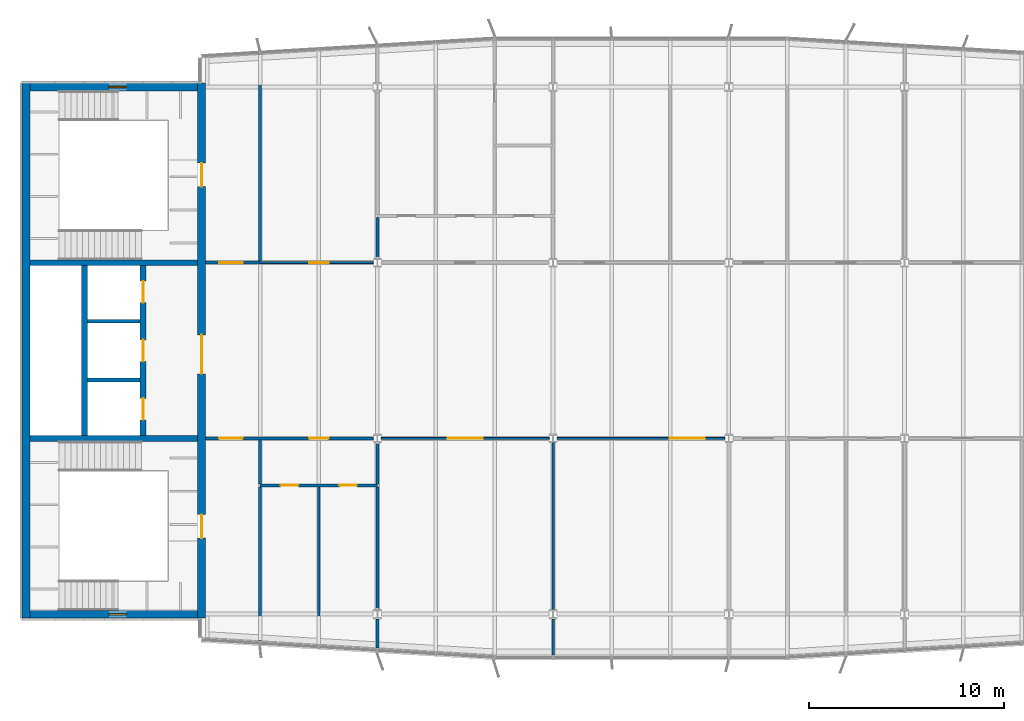
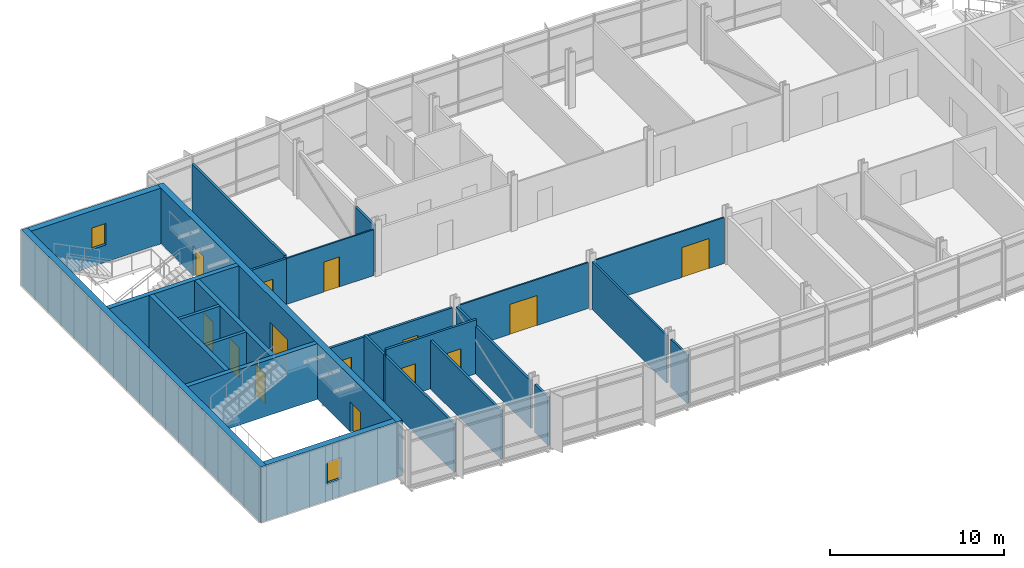
# One storey, part 11 of 17: 26 walls, 14 doors, 2 windows, 16 openings.
"""IFC4 building model written with IfcOpenShell, lengths in metres."""

from ifc_helpers import new_model, si_unit, direction, frame, frame_2d, origin, place, context, subcontext, project, spatial, rectangle, extrude, material, layer, layer_set, type_object, element, fill, save


model = new_model("IFC4")

# Units and contexts
model_context = context("Model", 3, precision=1e-05, world=origin(), true_north=direction((0.0, 1.0)))
body_context = subcontext(model_context, "Body", "Model", "MODEL_VIEW")
ifc_project = project(units=[si_unit("LENGTHUNIT", "METRE"), si_unit("AREAUNIT", "SQUARE_METRE"), si_unit("VOLUMEUNIT", "CUBIC_METRE"), si_unit("PLANEANGLEUNIT", "RADIAN"), si_unit("MASSUNIT", "GRAM", prefix="KILO")], contexts=[model_context])

# Site, building, storey
site_placement = place(None, origin())
site = spatial("IfcSite", under=ifc_project, at=site_placement, CompositionType="ELEMENT")
building_placement = place(site_placement, origin())
building = spatial("IfcBuilding", under=site, at=building_placement, Name="Azimuth Sports and Learning Centre", CompositionType="ELEMENT")
storey_placement = place(building_placement, frame((0.0, 0.0, 40.199951171875)))
storey = spatial("IfcBuildingStorey", under=building, at=storey_placement, Name="L08", CompositionType="ELEMENT", Elevation=40.199951171875)

# Walls
ifc_material_1 = material(Name="Dense masonry blockwork", Category="masonry")
ifc_layer_1 = layer(ifc_material_1, 0.199951171875)
ifc_layer_set_1 = layer_set([ifc_layer_1], Name="Dense masonry blockwork")
wall_type_1 = type_object("IfcWallType", Name="Blockwork wall 200 EI 120", PredefinedType="SOLIDWALL", material=ifc_layer_set_1)
for number, where, z_axis, x_axis, name in (
    (1, (57.14990234375, 102.0, 0.0), (0.0, 0.0, 1.0), (1.0, 0.0, 0.0), "SD-W-1-L08"),
    (2, (57.14990234375, 105.0, 0.0), (0.0, 0.0, 1.0), (1.0, 0.0, 0.0), "SD-W-2-L08"),
):
    element("IfcWall", number, at=place(storey_placement, frame(where, z_axis=z_axis, x_axis=x_axis)), inside=storey, type_object=wall_type_1, Name=name, PredefinedType="SOLIDWALL", context=body_context, shape_type="SweptSolid", body=[
        extrude(rectangle(XDim=2.7001953125, YDim=0.199951171875, at=frame_2d((1.35009765625, 0.0))), origin(), (0.0, 0.0, 1.0), 3.900146484375),
    ])

# Wall, opening, door
ifc_material_2 = material(Name="Gypsum board on steel studs", Category="steel")
ifc_layer_2 = layer(ifc_material_2, 0.10009765625)
ifc_layer_set_2 = layer_set([ifc_layer_2], Name="Gypsum board on steel studs")
wall_type_2 = type_object("IfcWallType", Name="Partition 100 EI 30", PredefinedType="PARTITIONING", material=ifc_layer_set_2)
wall_1_placement = place(storey_placement, frame((72.2060546875, 99.0, 0.0), z_axis=(0.0, 0.0, 1.0), x_axis=(1.0, 0.0, 0.0)))
wall_1 = element("IfcWall", 3, at=wall_1_placement, inside=storey, type_object=wall_type_2, Name="Partition Computing Studio 08.10 / Design Studio 08.11", PredefinedType="PARTITIONING", context=body_context, shape_type="SweptSolid", body=[
    extrude(rectangle(XDim=8.587890625, YDim=0.10009765625, at=frame_2d((4.2939453125, 0.0))), origin(), (0.0, 0.0, 1.0), 3.219970703125),
])
opening_1_placement = place(wall_1_placement, frame((3.39404296875, 0.0, 0.0)))
opening_1 = element("IfcOpeningElement", 4, at=opening_1_placement, cuts=wall_1, Name="Opening D08-016", PredefinedType="OPENING", context=body_context, shape_type="SweptSolid", body=[
    extrude(rectangle(XDim=1.800048828125, YDim=2.10009765625, at=frame_2d((0.89990234375, 1.050048828125))), frame((0.0, 0.06103515625, 0.0), z_axis=(0.0, -1.0, 0.0), x_axis=(1.0, 0.0, 0.0)), (0.0, 0.0, 1.0), 0.1220703125),
])
ifc_material_3 = material(Name="Painted steel door set", Category="steel")
door_type_1 = type_object("IfcDoorType", Name="Fire door FD30S 1800 x 2100 double leaf", OperationType="DOUBLE_DOOR_SINGLE_SWING", PredefinedType="DOOR", material=ifc_material_3)
door_1_placement = place(opening_1_placement, frame((1.800048828125, 0.0, 0.0), z_axis=(0.0, 0.0, 1.0), x_axis=(-1.0, 0.0, 0.0)))
door_1 = element("IfcDoor", 5, at=door_1_placement, inside=storey, type_object=door_type_1, Name="Door Computing Studio 08.10 / Learning Street", OperationType="DOUBLE_DOOR_SINGLE_SWING", OverallHeight=2.10009765625, OverallWidth=1.800048828125, PredefinedType="DOOR", context=body_context, shape_type="SweptSolid", body=[
    extrude(rectangle(XDim=1.800048828125, YDim=2.10009765625, at=frame_2d((0.89990234375, 1.050048828125))), frame((0.0, 0.02490234375, 0.0), z_axis=(0.0, -1.0, 0.0), x_axis=(1.0, 0.0, 0.0)), (0.0, 0.0, 1.0), 0.050048828125),
])
fill(opening_1, door_1)

wall_2_placement = place(storey_placement, frame((81.2060546875, 99.0, 0.0), z_axis=(0.0, 0.0, 1.0), x_axis=(1.0, 0.0, 0.0)))
wall_2 = element("IfcWall", 6, at=wall_2_placement, inside=storey, type_object=wall_type_2, Name="Partition Computing Studio 08.10 / Design Studio 08.11", PredefinedType="PARTITIONING", context=body_context, shape_type="SweptSolid", body=[
    extrude(rectangle(XDim=8.587890625, YDim=0.10009765625, at=frame_2d((4.2939453125, 0.0))), origin(), (0.0, 0.0, 1.0), 3.219970703125),
])
opening_2_placement = place(wall_2_placement, frame((5.76904296875, 0.0, 0.0)))
opening_2 = element("IfcOpeningElement", 7, at=opening_2_placement, cuts=wall_2, Name="Opening D08-017", PredefinedType="OPENING", context=body_context, shape_type="SweptSolid", body=[
    extrude(rectangle(XDim=1.800048828125, YDim=2.10009765625, at=frame_2d((0.89990234375, 1.050048828125))), frame((0.0, 0.06103515625, 0.0), z_axis=(0.0, -1.0, 0.0), x_axis=(1.0, 0.0, 0.0)), (0.0, 0.0, 1.0), 0.1220703125),
])
door_2_placement = place(opening_2_placement, frame((1.800048828125, 0.0, 0.0), z_axis=(0.0, 0.0, 1.0), x_axis=(-1.0, 0.0, 0.0)))
door_2 = element("IfcDoor", 8, at=door_2_placement, inside=storey, type_object=door_type_1, Name="Door Design Studio 08.11 / Learning Street", OperationType="DOUBLE_DOOR_SINGLE_SWING", OverallHeight=2.10009765625, OverallWidth=1.800048828125, PredefinedType="DOOR", context=body_context, shape_type="SweptSolid", body=[
    extrude(rectangle(XDim=1.800048828125, YDim=2.10009765625, at=frame_2d((0.89990234375, 1.050048828125))), frame((0.0, 0.02490234375, 0.0), z_axis=(0.0, -1.0, 0.0), x_axis=(1.0, 0.0, 0.0)), (0.0, 0.0, 1.0), 0.050048828125),
])
fill(opening_2, door_2)

wall_3_placement = place(storey_placement, frame((66.0, 108.0, 0.0), z_axis=(0.0, 0.0, 1.0), x_axis=(1.0, 0.0, 0.0)))
wall_3 = element("IfcWall", 9, at=wall_3_placement, inside=storey, type_object=wall_type_2, Name="Partition Classroom 08.16 / Learning Street", PredefinedType="PARTITIONING", context=body_context, shape_type="SweptSolid", body=[
    extrude(rectangle(XDim=5.7939453125, YDim=0.10009765625, at=frame_2d((2.89697265625, 0.0))), origin(), (0.0, 0.0, 1.0), 3.219970703125),
])
opening_3_placement = place(wall_3_placement, frame((2.5, 0.0, 0.0)))
opening_3 = element("IfcOpeningElement", 10, at=opening_3_placement, cuts=wall_3, Name="Opening D08-022", PredefinedType="OPENING", context=body_context, shape_type="SweptSolid", body=[
    extrude(rectangle(XDim=1.0, YDim=2.10009765625, at=frame_2d((0.5, 1.050048828125))), frame((0.0, 0.06103515625, 0.0), z_axis=(0.0, -1.0, 0.0), x_axis=(1.0, 0.0, 0.0)), (0.0, 0.0, 1.0), 0.1220703125),
])
ifc_material_4 = material(Name="Painted steel door set", Category="steel")
door_type_2 = type_object("IfcDoorType", Name="Fire door FD30S 1000 x 2100", OperationType="NOTDEFINED", PredefinedType="DOOR", material=ifc_material_4)
door_3_placement = place(opening_3_placement, origin())
door_3 = element("IfcDoor", 11, at=door_3_placement, inside=storey, type_object=door_type_2, Name="Door Classroom 08.16 / Learning Street", OperationType="SINGLE_SWING_RIGHT", OverallHeight=2.10009765625, OverallWidth=1.0, PredefinedType="DOOR", context=body_context, shape_type="SweptSolid", body=[
    extrude(rectangle(XDim=1.0, YDim=2.10009765625, at=frame_2d((0.5, 1.050048828125))), frame((0.0, 0.02490234375, 0.0), z_axis=(0.0, -1.0, 0.0), x_axis=(1.0, 0.0, 0.0)), (0.0, 0.0, 1.0), 0.050048828125),
])
fill(opening_3, door_3)

# Walls
ifc_material_5 = material(Name="Gypsum board on steel studs, acoustic", Category="steel")
ifc_layer_3 = layer(ifc_material_5, 0.125)
ifc_layer_set_3 = layer_set([ifc_layer_3], Name="Gypsum board on steel studs, acoustic")
wall_type_3 = type_object("IfcWallType", Name="Partition 125 EI 60", PredefinedType="PARTITIONING", material=ifc_layer_set_3)
wall_4_placement = place(storey_placement, frame((81.0, 87.89990234375, 0.0), z_axis=(0.0, 0.0, 1.0), x_axis=(0.0, 1.0, 0.0)))
element("IfcWall", 12, at=wall_4_placement, inside=storey, type_object=wall_type_3, Name="Partition Computing Studio 08.10 / Design Studio 08.11", PredefinedType="PARTITIONING", context=body_context, shape_type="SweptSolid", body=[
    extrude(rectangle(XDim=1.863037109375, YDim=0.125, at=frame_2d((0.931640625, 0.0))), origin(), (0.0, 0.0, 1.0), 3.3701171875),
])
wall_5_placement = place(storey_placement, frame((81.0, 90.237060546875, 0.0), z_axis=(0.0, 0.0, 1.0), x_axis=(0.0, 1.0, 0.0)))
element("IfcWall", 13, at=wall_5_placement, inside=storey, type_object=wall_type_3, Name="Partition Computing Studio 08.10 / Design Studio 08.11", PredefinedType="PARTITIONING", context=body_context, shape_type="SweptSolid", body=[
    extrude(rectangle(XDim=8.54541015625, YDim=0.125, at=frame_2d((4.272705078125, 0.0))), origin(), (0.0, 0.0, 1.0), 3.320068359375),
])

# Wall, openings, doors
ifc_material_6 = material(Name="Lightweight blockwork, rendered", Category="masonry")
ifc_layer_4 = layer(ifc_material_6, 0.14990234375)
ifc_layer_set_4 = layer_set([ifc_layer_4], Name="Lightweight blockwork, rendered")
wall_type_4 = type_object("IfcWallType", Name="Partition 150 EI 60", PredefinedType="PARTITIONING", material=ifc_layer_set_4)
wall_6_placement = place(storey_placement, frame((66.0, 96.60009765625, 0.0), z_axis=(0.0, 0.0, 1.0), x_axis=(1.0, 0.0, 0.0)))
wall_6 = element("IfcWall", 14, at=wall_6_placement, inside=storey, type_object=wall_type_4, Name="Partition WC Lobby 08.07 / Men WC 08.08", PredefinedType="PARTITIONING", context=body_context, shape_type="SweptSolid", body=[
    extrude(rectangle(XDim=6.0, YDim=0.14990234375, at=frame_2d((3.0, 0.0))), origin(), (0.0, 0.0, 1.0), 3.77001953125),
])
opening_4_placement = place(wall_6_placement, frame((1.050048828125, 0.0, 0.0)))
opening_4 = element("IfcOpeningElement", 15, at=opening_4_placement, cuts=wall_6, Name="Opening D08-028", PredefinedType="OPENING", context=body_context, shape_type="SweptSolid", body=[
    extrude(rectangle(XDim=0.89990234375, YDim=2.10009765625, at=frame_2d((0.449951171875, 1.050048828125))), frame((0.0, 0.0859375, 0.0), z_axis=(0.0, -1.0, 0.0), x_axis=(1.0, 0.0, 0.0)), (0.0, 0.0, 1.0), 0.171875),
])
opening_5_placement = place(wall_6_placement, frame((4.050048828125, 0.0, 0.0)))
opening_5 = element("IfcOpeningElement", 16, at=opening_5_placement, cuts=wall_6, Name="Opening D08-029", PredefinedType="OPENING", context=body_context, shape_type="SweptSolid", body=[
    extrude(rectangle(XDim=0.89990234375, YDim=2.10009765625, at=frame_2d((0.449951171875, 1.050048828125))), frame((0.0, 0.0859375, 0.0), z_axis=(0.0, -1.0, 0.0), x_axis=(1.0, 0.0, 0.0)), (0.0, 0.0, 1.0), 0.171875),
])
ifc_material_7 = material(Name="Painted steel door set", Category="steel")
door_type_3 = type_object("IfcDoorType", Name="Fire door FD60 900 x 2100", OperationType="NOTDEFINED", PredefinedType="DOOR", material=ifc_material_7)
door_4_placement = place(opening_4_placement, origin())
door_4 = element("IfcDoor", 17, at=door_4_placement, inside=storey, type_object=door_type_3, Name="Door WC Lobby 08.07 / Men WC 08.08", OperationType="SINGLE_SWING_LEFT", OverallHeight=2.10009765625, OverallWidth=0.89990234375, PredefinedType="DOOR", context=body_context, shape_type="SweptSolid", body=[
    extrude(rectangle(XDim=0.89990234375, YDim=2.10009765625, at=frame_2d((0.449951171875, 1.050048828125))), frame((0.0, 0.02490234375, 0.0), z_axis=(0.0, -1.0, 0.0), x_axis=(1.0, 0.0, 0.0)), (0.0, 0.0, 1.0), 0.050048828125),
])
fill(opening_4, door_4)
door_5_placement = place(opening_5_placement, origin())
door_5 = element("IfcDoor", 18, at=door_5_placement, inside=storey, type_object=door_type_3, Name="Door WC Lobby 08.07 / Women WC 08.09", OperationType="SINGLE_SWING_RIGHT", OverallHeight=2.10009765625, OverallWidth=0.89990234375, PredefinedType="DOOR", context=body_context, shape_type="SweptSolid", body=[
    extrude(rectangle(XDim=0.89990234375, YDim=2.10009765625, at=frame_2d((0.449951171875, 1.050048828125))), frame((0.0, 0.02490234375, 0.0), z_axis=(0.0, -1.0, 0.0), x_axis=(1.0, 0.0, 0.0)), (0.0, 0.0, 1.0), 0.050048828125),
])
fill(opening_5, door_5)

wall_7_placement = place(storey_placement, frame((63.199951171875, 99.0, 0.0), z_axis=(0.0, 0.0, 1.0), x_axis=(1.0, 0.0, 0.0)))
wall_7 = element("IfcWall", 19, at=wall_7_placement, inside=storey, type_object=wall_type_4, Name="Partition Stair Lobby W1 08.01 / WC Lobby 08.07", PredefinedType="PARTITIONING", context=body_context, shape_type="SweptSolid", body=[
    extrude(rectangle(XDim=8.593994140625, YDim=0.14990234375, at=frame_2d((4.296875, 0.0))), origin(), (0.0, 0.0, 1.0), 3.219970703125),
])
opening_6_placement = place(wall_7_placement, frame((0.699951171875, 0.0, 0.0)))
opening_6 = element("IfcOpeningElement", 20, at=opening_6_placement, cuts=wall_7, Name="Opening D08-011", PredefinedType="OPENING", context=body_context, shape_type="SweptSolid", body=[
    extrude(rectangle(XDim=1.199951171875, YDim=2.10009765625, at=frame_2d((0.60009765625, 1.050048828125))), frame((0.0, 0.0859375, 0.0), z_axis=(0.0, -1.0, 0.0), x_axis=(1.0, 0.0, 0.0)), (0.0, 0.0, 1.0), 0.171875),
])
opening_7_placement = place(wall_7_placement, frame((5.300048828125, 0.0, 0.0)))
opening_7 = element("IfcOpeningElement", 21, at=opening_7_placement, cuts=wall_7, Name="Opening D08-015", PredefinedType="OPENING", context=body_context, shape_type="SweptSolid", body=[
    extrude(rectangle(XDim=1.0, YDim=2.10009765625, at=frame_2d((0.5, 1.050048828125))), frame((0.0, 0.0859375, 0.0), z_axis=(0.0, -1.0, 0.0), x_axis=(1.0, 0.0, 0.0)), (0.0, 0.0, 1.0), 0.171875),
])
ifc_material_8 = material(Name="Painted steel door set", Category="steel")
door_type_4 = type_object("IfcDoorType", Name="Fire door FD60 1000 x 2100", OperationType="NOTDEFINED", PredefinedType="DOOR", material=ifc_material_8)
door_6_placement = place(opening_7_placement, frame((1.0, 0.0, 0.0), z_axis=(0.0, 0.0, 1.0), x_axis=(-1.0, 0.0, 0.0)))
door_6 = element("IfcDoor", 22, at=door_6_placement, inside=storey, type_object=door_type_4, Name="Door WC Lobby 08.07 / Learning Street", OperationType="SINGLE_SWING_LEFT", OverallHeight=2.10009765625, OverallWidth=1.0, PredefinedType="DOOR", context=body_context, shape_type="SweptSolid", body=[
    extrude(rectangle(XDim=1.0, YDim=2.10009765625, at=frame_2d((0.5, 1.050048828125))), frame((0.0, 0.02490234375, 0.0), z_axis=(0.0, -1.0, 0.0), x_axis=(1.0, 0.0, 0.0)), (0.0, 0.0, 1.0), 0.050048828125),
])
fill(opening_7, door_6)
ifc_material_9 = material(Name="Painted steel door set", Category="steel")
door_type_5 = type_object("IfcDoorType", Name="Fire door FD60 1200 x 2100", OperationType="NOTDEFINED", PredefinedType="DOOR", material=ifc_material_9)
door_7_placement = place(opening_6_placement, frame((1.199951171875, 0.0, 0.0), z_axis=(0.0, 0.0, 1.0), x_axis=(-1.0, 0.0, 0.0)))
door_7 = element("IfcDoor", 23, at=door_7_placement, inside=storey, type_object=door_type_5, Name="Door Stair Lobby W1 08.01 / Learning Street", OperationType="SINGLE_SWING_RIGHT", OverallHeight=2.10009765625, OverallWidth=1.199951171875, PredefinedType="DOOR", context=body_context, shape_type="SweptSolid", body=[
    extrude(rectangle(XDim=1.199951171875, YDim=2.10009765625, at=frame_2d((0.60009765625, 1.050048828125))), frame((0.0, 0.02490234375, 0.0), z_axis=(0.0, -1.0, 0.0), x_axis=(1.0, 0.0, 0.0)), (0.0, 0.0, 1.0), 0.050048828125),
])
fill(opening_6, door_7)

# Wall, opening, door
wall_8_placement = place(storey_placement, frame((63.199951171875, 108.0, 0.0), z_axis=(0.0, 0.0, 1.0), x_axis=(1.0, 0.0, 0.0)))
wall_8 = element("IfcWall", 24, at=wall_8_placement, inside=storey, type_object=wall_type_4, Name="Partition Stair Lobby W2 08.02 / Learning Street", PredefinedType="PARTITIONING", context=body_context, shape_type="SweptSolid", body=[
    extrude(rectangle(XDim=2.800048828125, YDim=0.14990234375, at=frame_2d((1.39990234375, 0.0))), origin(), (0.0, 0.0, 1.0), 3.219970703125),
])
opening_8_placement = place(wall_8_placement, frame((0.699951171875, 0.0, 0.0)))
opening_8 = element("IfcOpeningElement", 25, at=opening_8_placement, cuts=wall_8, Name="Opening D08-012", PredefinedType="OPENING", context=body_context, shape_type="SweptSolid", body=[
    extrude(rectangle(XDim=1.199951171875, YDim=2.10009765625, at=frame_2d((0.60009765625, 1.050048828125))), frame((0.0, 0.0859375, 0.0), z_axis=(0.0, -1.0, 0.0), x_axis=(1.0, 0.0, 0.0)), (0.0, 0.0, 1.0), 0.171875),
])
door_8_placement = place(opening_8_placement, origin())
door_8 = element("IfcDoor", 26, at=door_8_placement, inside=storey, type_object=door_type_5, Name="Door Stair Lobby W2 08.02 / Learning Street", OperationType="SINGLE_SWING_LEFT", OverallHeight=2.10009765625, OverallWidth=1.199951171875, PredefinedType="DOOR", context=body_context, shape_type="SweptSolid", body=[
    extrude(rectangle(XDim=1.199951171875, YDim=2.10009765625, at=frame_2d((0.60009765625, 1.050048828125))), frame((0.0, 0.02490234375, 0.0), z_axis=(0.0, -1.0, 0.0), x_axis=(1.0, 0.0, 0.0)), (0.0, 0.0, 1.0), 0.050048828125),
])
fill(opening_8, door_8)

# Walls
wall_9_placement = place(storey_placement, frame((66.0, 88.6201171875, 0.0), z_axis=(0.0, 0.0, 1.0), x_axis=(0.0, 1.0, 0.0)))
element("IfcWall", 27, at=wall_9_placement, inside=storey, type_object=wall_type_4, Name="Partition Stair Lobby W1 08.01 / WC Lobby 08.07", PredefinedType="PARTITIONING", context=body_context, shape_type="SweptSolid", body=[
    extrude(rectangle(XDim=7.90478515625, YDim=0.14990234375, at=frame_2d((3.952392578125, 0.0))), origin(), (0.0, 0.0, 1.0), 3.3701171875),
])
wall_10_placement = place(storey_placement, frame((66.0, 96.675048828125, 0.0), z_axis=(0.0, 0.0, 1.0), x_axis=(0.0, 1.0, 0.0)))
element("IfcWall", 28, at=wall_10_placement, inside=storey, type_object=wall_type_4, Name="Partition Stair Lobby W1 08.01 / WC Lobby 08.07", PredefinedType="PARTITIONING", context=body_context, shape_type="SweptSolid", body=[
    extrude(rectangle(XDim=2.25, YDim=0.14990234375, at=frame_2d((1.125, 0.0))), origin(), (0.0, 0.0, 1.0), 3.3701171875),
])
wall_11_placement = place(storey_placement, frame((66.0, 108.074951171875, 0.0), z_axis=(0.0, 0.0, 1.0), x_axis=(0.0, 1.0, 0.0)))
element("IfcWall", 29, at=wall_11_placement, inside=storey, type_object=wall_type_4, Name="Partition Stair Lobby W2 08.02 / Classroom 08.16", PredefinedType="PARTITIONING", context=body_context, shape_type="SweptSolid", body=[
    extrude(rectangle(XDim=10.60498046875, YDim=0.14990234375, at=frame_2d((5.302490234375, 0.0))), origin(), (0.0, 0.0, 1.0), 3.3701171875),
])
wall_12_placement = place(storey_placement, frame((69.0, 88.43994140625, 0.0), z_axis=(0.0, 0.0, 1.0), x_axis=(0.0, 1.0, 0.0)))
element("IfcWall", 30, at=wall_12_placement, inside=storey, type_object=wall_type_4, Name="Partition Men WC 08.08 / Women WC 08.09", PredefinedType="PARTITIONING", context=body_context, shape_type="SweptSolid", body=[
    extrude(rectangle(XDim=8.0849609375, YDim=0.14990234375, at=frame_2d((4.04248046875, 0.0))), origin(), (0.0, 0.0, 1.0), 3.3701171875),
])
wall_13_placement = place(storey_placement, frame((72.0, 88.260009765625, 0.0), z_axis=(0.0, 0.0, 1.0), x_axis=(0.0, 1.0, 0.0)))
element("IfcWall", 31, at=wall_13_placement, inside=storey, type_object=wall_type_4, Name="Partition WC Lobby 08.07 / Women WC 08.09", PredefinedType="PARTITIONING", context=body_context, shape_type="SweptSolid", body=[
    extrude(rectangle(XDim=1.5029296875, YDim=0.14990234375, at=frame_2d((0.75146484375, 0.0))), origin(), (0.0, 0.0, 1.0), 3.3701171875),
])
wall_14_placement = place(storey_placement, frame((72.0, 90.237060546875, 0.0), z_axis=(0.0, 0.0, 1.0), x_axis=(0.0, 1.0, 0.0)))
element("IfcWall", 32, at=wall_14_placement, inside=storey, type_object=wall_type_4, Name="Partition WC Lobby 08.07 / Women WC 08.09", PredefinedType="PARTITIONING", context=body_context, shape_type="SweptSolid", body=[
    extrude(rectangle(XDim=6.287841796875, YDim=0.14990234375, at=frame_2d((3.14404296875, 0.0))), origin(), (0.0, 0.0, 1.0), 3.320068359375),
])
for number, where, z_axis, x_axis, name in (
    (33, (72.0, 96.675048828125, 0.0), (0.0, 0.0, 1.0), (0.0, 1.0, 0.0), "Partition WC Lobby 08.07 / Women WC 08.09"),
    (34, (72.0, 108.217529296875, 0.0), (0.0, 0.0, 1.0), (0.0, 1.0, 0.0), "Partition Classroom 08.16 / WC Lobby 08.17"),
):
    element("IfcWall", number, at=place(storey_placement, frame(where, z_axis=z_axis, x_axis=x_axis)), inside=storey, type_object=wall_type_4, Name=name, PredefinedType="PARTITIONING", context=body_context, shape_type="SweptSolid", body=[
        extrude(rectangle(XDim=2.107421875, YDim=0.14990234375, at=frame_2d((1.0537109375, 0.0))), origin(), (0.0, 0.0, 1.0), 3.320068359375),
    ])
ifc_material_10 = material(Name="Concrete C40/50", Category="concrete")
ifc_layer_5 = layer(ifc_material_10, 0.300048828125)
ifc_layer_set_5 = layer_set([ifc_layer_5], Name="Concrete C40/50")
wall_type_5 = type_object("IfcWallType", Name="RC core wall 300", PredefinedType="SHEAR", material=ifc_layer_set_5)
for number, where, z_axis, x_axis, name in (
    (35, (54.199951171875, 99.0, 0.0), (0.0, 0.0, 1.0), (1.0, 0.0, 0.0), "Core wall W D1 L08"),
    (36, (54.199951171875, 108.0, 0.0), (0.0, 0.0, 1.0), (1.0, 0.0, 0.0), "Core wall W D2 L08"),
):
    element("IfcWall", number, at=place(storey_placement, frame(where, z_axis=z_axis, x_axis=x_axis)), inside=storey, type_object=wall_type_5, Name=name, PredefinedType="SHEAR", context=body_context, shape_type="SweptSolid", body=[
        extrude(rectangle(XDim=8.60009765625, YDim=0.300048828125, at=frame_2d((4.300048828125, 0.0))), origin(), (0.0, 0.0, 1.0), 3.900146484375),
    ])
wall_15_placement = place(storey_placement, frame((57.0, 99.14990234375, 0.0), z_axis=(0.0, 0.0, 1.0), x_axis=(0.0, 1.0, 0.0)))
element("IfcWall", 37, at=wall_15_placement, inside=storey, type_object=wall_type_5, Name="Core wall W LB1 L08", PredefinedType="SHEAR", context=body_context, shape_type="SweptSolid", body=[
    extrude(rectangle(XDim=8.7001953125, YDim=0.300048828125, at=frame_2d((4.35009765625, 0.0))), origin(), (0.0, 0.0, 1.0), 3.900146484375),
])

# Wall, openings, doors
wall_16_placement = place(storey_placement, frame((60.0, 99.14990234375, 0.0), z_axis=(0.0, 0.0, 1.0), x_axis=(0.0, 1.0, 0.0)))
wall_16 = element("IfcWall", 38, at=wall_16_placement, inside=storey, type_object=wall_type_5, Name="Core wall W LB2 L08", PredefinedType="SHEAR", context=body_context, shape_type="SweptSolid", body=[
    extrude(rectangle(XDim=8.7001953125, YDim=0.300048828125, at=frame_2d((4.35009765625, 0.0))), origin(), (0.0, 0.0, 1.0), 3.900146484375),
])
opening_9_placement = place(wall_16_placement, frame((0.800048828125, 0.0, 0.0)))
opening_9 = element("IfcOpeningElement", 39, at=opening_9_placement, cuts=wall_16, Name="Opening D08-005", PredefinedType="OPENING", context=body_context, shape_type="SweptSolid", body=[
    extrude(rectangle(XDim=1.10009765625, YDim=2.10009765625, at=frame_2d((0.550048828125, 1.050048828125))), frame((0.0, 0.1611328125, 0.0), z_axis=(0.0, -1.0, 0.0), x_axis=(1.0, 0.0, 0.0)), (0.0, 0.0, 1.0), 0.322021484375),
])
opening_10_placement = place(wall_16_placement, frame((3.800048828125, 0.0, 0.0)))
opening_10 = element("IfcOpeningElement", 40, at=opening_10_placement, cuts=wall_16, Name="Opening D08-006", PredefinedType="OPENING", context=body_context, shape_type="SweptSolid", body=[
    extrude(rectangle(XDim=1.10009765625, YDim=2.10009765625, at=frame_2d((0.550048828125, 1.050048828125))), frame((0.0, 0.1611328125, 0.0), z_axis=(0.0, -1.0, 0.0), x_axis=(1.0, 0.0, 0.0)), (0.0, 0.0, 1.0), 0.322021484375),
])
opening_11_placement = place(wall_16_placement, frame((6.800048828125, 0.0, 0.0)))
opening_11 = element("IfcOpeningElement", 41, at=opening_11_placement, cuts=wall_16, Name="Opening D08-007", PredefinedType="OPENING", context=body_context, shape_type="SweptSolid", body=[
    extrude(rectangle(XDim=1.10009765625, YDim=2.10009765625, at=frame_2d((0.550048828125, 1.050048828125))), frame((0.0, 0.1611328125, 0.0), z_axis=(0.0, -1.0, 0.0), x_axis=(1.0, 0.0, 0.0)), (0.0, 0.0, 1.0), 0.322021484375),
])
ifc_material_11 = material(Name="Stainless steel", Category="steel")
door_type_6 = type_object("IfcDoorType", Name="Lift landing door 1100 x 2100", OperationType="DOUBLE_DOOR_SLIDING", PredefinedType="DOOR", material=ifc_material_11)
door_9_placement = place(opening_9_placement, origin())
door_9 = element("IfcDoor", 42, at=door_9_placement, inside=storey, type_object=door_type_6, Name="Landing door LW1 L08", OperationType="DOUBLE_DOOR_SLIDING", OverallHeight=2.10009765625, OverallWidth=1.10009765625, PredefinedType="DOOR", context=body_context, shape_type="SweptSolid", body=[
    extrude(rectangle(XDim=1.10009765625, YDim=2.10009765625, at=frame_2d((0.550048828125, 1.050048828125))), frame((0.0, 0.02490234375, 0.0), z_axis=(0.0, -1.0, 0.0), x_axis=(1.0, 0.0, 0.0)), (0.0, 0.0, 1.0), 0.050048828125),
])
fill(opening_9, door_9)
door_10_placement = place(opening_10_placement, origin())
door_10 = element("IfcDoor", 43, at=door_10_placement, inside=storey, type_object=door_type_6, Name="Landing door LW2 L08", OperationType="DOUBLE_DOOR_SLIDING", OverallHeight=2.10009765625, OverallWidth=1.10009765625, PredefinedType="DOOR", context=body_context, shape_type="SweptSolid", body=[
    extrude(rectangle(XDim=1.10009765625, YDim=2.10009765625, at=frame_2d((0.550048828125, 1.050048828125))), frame((0.0, 0.02490234375, 0.0), z_axis=(0.0, -1.0, 0.0), x_axis=(1.0, 0.0, 0.0)), (0.0, 0.0, 1.0), 0.050048828125),
])
fill(opening_10, door_10)
door_11_placement = place(opening_11_placement, origin())
door_11 = element("IfcDoor", 44, at=door_11_placement, inside=storey, type_object=door_type_6, Name="Landing door LW3 L08", OperationType="DOUBLE_DOOR_SLIDING", OverallHeight=2.10009765625, OverallWidth=1.10009765625, PredefinedType="DOOR", context=body_context, shape_type="SweptSolid", body=[
    extrude(rectangle(XDim=1.10009765625, YDim=2.10009765625, at=frame_2d((0.550048828125, 1.050048828125))), frame((0.0, 0.02490234375, 0.0), z_axis=(0.0, -1.0, 0.0), x_axis=(1.0, 0.0, 0.0)), (0.0, 0.0, 1.0), 0.050048828125),
])
fill(opening_11, door_11)

ifc_material_12 = material(Name="Concrete C40/50", Category="concrete")
ifc_layer_6 = layer(ifc_material_12, 0.39990234375)
ifc_layer_set_6 = layer_set([ifc_layer_6], Name="Concrete C40/50")
wall_type_6 = type_object("IfcWallType", Name="RC core wall 400", PredefinedType="SHEAR", material=ifc_layer_set_6)
wall_17_placement = place(storey_placement, frame((63.0, 89.800048828125, 0.0), z_axis=(0.0, 0.0, 1.0), x_axis=(0.0, 1.0, 0.0)))
wall_17 = element("IfcWall", 45, at=wall_17_placement, inside=storey, type_object=wall_type_6, Name="Core wall W E L08", PredefinedType="SHEAR", context=body_context, shape_type="SweptSolid", body=[
    extrude(rectangle(XDim=27.39990234375, YDim=0.39990234375, at=frame_2d((13.699951171875, 0.0))), origin(), (0.0, 0.0, 1.0), 3.900146484375),
])
opening_12_placement = place(wall_17_placement, frame((4.10009765625, 0.0, 0.0)))
opening_12 = element("IfcOpeningElement", 46, at=opening_12_placement, cuts=wall_17, Name="Opening D08-001", PredefinedType="OPENING", context=body_context, shape_type="SweptSolid", body=[
    extrude(rectangle(XDim=1.199951171875, YDim=2.10009765625, at=frame_2d((0.60009765625, 1.050048828125))), frame((0.0, 0.2109375, 0.0), z_axis=(0.0, -1.0, 0.0), x_axis=(1.0, 0.0, 0.0)), (0.0, 0.0, 1.0), 0.421875),
])
opening_13_placement = place(wall_17_placement, frame((22.10009765625, 0.0, 0.0)))
opening_13 = element("IfcOpeningElement", 47, at=opening_13_placement, cuts=wall_17, Name="Opening D08-002", PredefinedType="OPENING", context=body_context, shape_type="SweptSolid", body=[
    extrude(rectangle(XDim=1.199951171875, YDim=2.10009765625, at=frame_2d((0.60009765625, 1.050048828125))), frame((0.0, 0.2109375, 0.0), z_axis=(0.0, -1.0, 0.0), x_axis=(1.0, 0.0, 0.0)), (0.0, 0.0, 1.0), 0.421875),
])
opening_14_placement = place(wall_17_placement, frame((12.5, 0.0, 0.0)))
opening_14 = element("IfcOpeningElement", 48, at=opening_14_placement, cuts=wall_17, Name="Opening D08-034", PredefinedType="OPENING", context=body_context, shape_type="SweptSolid", body=[
    extrude(rectangle(XDim=2.0, YDim=2.10009765625, at=frame_2d((1.0, 1.050048828125))), frame((0.0, 0.2109375, 0.0), z_axis=(0.0, -1.0, 0.0), x_axis=(1.0, 0.0, 0.0)), (0.0, 0.0, 1.0), 0.421875),
])
ifc_material_13 = material(Name="Painted steel door set", Category="steel")
door_type_7 = type_object("IfcDoorType", Name="Fire door FD120 2000 x 2100 double leaf", OperationType="DOUBLE_DOOR_SINGLE_SWING", PredefinedType="DOOR", material=ifc_material_13)
door_12_placement = place(opening_14_placement, origin())
door_12 = element("IfcDoor", 49, at=door_12_placement, inside=storey, type_object=door_type_7, Name="Door Lift Lobby W 08.05 / Learning Street", OperationType="DOUBLE_DOOR_SINGLE_SWING", OverallHeight=2.10009765625, OverallWidth=2.0, PredefinedType="DOOR", context=body_context, shape_type="SweptSolid", body=[
    extrude(rectangle(XDim=2.0, YDim=2.10009765625, at=frame_2d((1.0, 1.050048828125))), frame((0.0, 0.02490234375, 0.0), z_axis=(0.0, -1.0, 0.0), x_axis=(1.0, 0.0, 0.0)), (0.0, 0.0, 1.0), 0.050048828125),
])
fill(opening_14, door_12)
ifc_material_14 = material(Name="Steel", Category="steel")
door_type_8 = type_object("IfcDoorType", Name="Stair fire door 1200 x 2100", OperationType="NOTDEFINED", PredefinedType="DOOR", material=ifc_material_14)
door_13_placement = place(opening_12_placement, origin())
door_13 = element("IfcDoor", 50, at=door_13_placement, inside=storey, type_object=door_type_8, Name="Stair door W1 L08", OperationType="SINGLE_SWING_LEFT", OverallHeight=2.10009765625, OverallWidth=1.199951171875, PredefinedType="DOOR", context=body_context, shape_type="SweptSolid", body=[
    extrude(rectangle(XDim=1.199951171875, YDim=2.10009765625, at=frame_2d((0.60009765625, 1.050048828125))), frame((0.0, 0.02490234375, 0.0), z_axis=(0.0, -1.0, 0.0), x_axis=(1.0, 0.0, 0.0)), (0.0, 0.0, 1.0), 0.050048828125),
])
fill(opening_12, door_13)
door_14_placement = place(opening_13_placement, origin())
door_14 = element("IfcDoor", 51, at=door_14_placement, inside=storey, type_object=door_type_8, Name="Stair door W2 L08", OperationType="SINGLE_SWING_LEFT", OverallHeight=2.10009765625, OverallWidth=1.199951171875, PredefinedType="DOOR", context=body_context, shape_type="SweptSolid", body=[
    extrude(rectangle(XDim=1.199951171875, YDim=2.10009765625, at=frame_2d((0.60009765625, 1.050048828125))), frame((0.0, 0.02490234375, 0.0), z_axis=(0.0, -1.0, 0.0), x_axis=(1.0, 0.0, 0.0)), (0.0, 0.0, 1.0), 0.050048828125),
])
fill(opening_13, door_14)

# Wall, opening, window
ifc_material_15 = material(Name="Concrete C40/50", Category="concrete")
ifc_layer_7 = layer(ifc_material_15, 0.39990234375)
ifc_layer_set_7 = layer_set([ifc_layer_7], Name="Concrete C40/50")
wall_type_7 = type_object("IfcWallType", Name="RC external core wall 400", PredefinedType="SHEAR", material=ifc_layer_set_7)
wall_18_placement = place(storey_placement, frame((54.199951171875, 90.0, 0.0), z_axis=(0.0, 0.0, 1.0), x_axis=(1.0, 0.0, 0.0)))
wall_18 = element("IfcWall", 52, at=wall_18_placement, inside=storey, type_object=wall_type_7, Name="Core wall W S L08", PredefinedType="SHEAR", context=body_context, shape_type="SweptSolid", body=[
    extrude(rectangle(XDim=8.60009765625, YDim=0.39990234375, at=frame_2d((4.300048828125, 0.0))), origin(), (0.0, 0.0, 1.0), 3.900146484375),
])
opening_15_placement = place(wall_18_placement, frame((4.050048828125, 0.0, 1.199951171875)))
opening_15 = element("IfcOpeningElement", 53, at=opening_15_placement, cuts=wall_18, Name="Opening W08-001", PredefinedType="OPENING", context=body_context, shape_type="SweptSolid", body=[
    extrude(rectangle(XDim=0.89990234375, YDim=1.5, at=frame_2d((0.449951171875, 0.75))), frame((0.0, 0.2109375, 0.0), z_axis=(0.0, -1.0, 0.0), x_axis=(1.0, 0.0, 0.0)), (0.0, 0.0, 1.0), 0.421875),
])
ifc_material_16 = material(Name="Aluminium and glass", Category="aluminium")
window_type = type_object("IfcWindowType", Name="Stair window tower core 900x1500", PartitioningType="SINGLE_PANEL", PredefinedType="WINDOW", material=ifc_material_16)
window_1_placement = place(opening_15_placement, origin())
window_1 = element("IfcWindow", 54, at=window_1_placement, inside=storey, type_object=window_type, Name="Window W08-001", OverallHeight=1.5, OverallWidth=0.89990234375, PartitioningType="SINGLE_PANEL", PredefinedType="WINDOW", context=body_context, shape_type="SweptSolid", body=[
    extrude(rectangle(XDim=0.89990234375, YDim=1.5, at=frame_2d((0.449951171875, 0.75))), frame((0.0, 0.030029296875, 0.0), z_axis=(0.0, -1.0, 0.0), x_axis=(1.0, 0.0, 0.0)), (0.0, 0.0, 1.0), 0.06005859375),
])
fill(opening_15, window_1)

wall_19_placement = place(storey_placement, frame((54.199951171875, 117.0, 0.0), z_axis=(0.0, 0.0, 1.0), x_axis=(1.0, 0.0, 0.0)))
wall_19 = element("IfcWall", 55, at=wall_19_placement, inside=storey, type_object=wall_type_7, Name="Core wall W N L08", PredefinedType="SHEAR", context=body_context, shape_type="SweptSolid", body=[
    extrude(rectangle(XDim=8.60009765625, YDim=0.39990234375, at=frame_2d((4.300048828125, 0.0))), origin(), (0.0, 0.0, 1.0), 3.900146484375),
])
opening_16_placement = place(wall_19_placement, frame((4.050048828125, 0.0, 1.199951171875)))
opening_16 = element("IfcOpeningElement", 56, at=opening_16_placement, cuts=wall_19, Name="Opening W08-004", PredefinedType="OPENING", context=body_context, shape_type="SweptSolid", body=[
    extrude(rectangle(XDim=0.89990234375, YDim=1.5, at=frame_2d((0.449951171875, 0.75))), frame((0.0, 0.2109375, 0.0), z_axis=(0.0, -1.0, 0.0), x_axis=(1.0, 0.0, 0.0)), (0.0, 0.0, 1.0), 0.421875),
])
window_2_placement = place(opening_16_placement, origin())
window_2 = element("IfcWindow", 57, at=window_2_placement, inside=storey, type_object=window_type, Name="Window W08-004", OverallHeight=1.5, OverallWidth=0.89990234375, PartitioningType="SINGLE_PANEL", PredefinedType="WINDOW", context=body_context, shape_type="SweptSolid", body=[
    extrude(rectangle(XDim=0.89990234375, YDim=1.5, at=frame_2d((0.449951171875, 0.75))), frame((0.0, 0.030029296875, 0.0), z_axis=(0.0, -1.0, 0.0), x_axis=(1.0, 0.0, 0.0)), (0.0, 0.0, 1.0), 0.06005859375),
])
fill(opening_16, window_2)

# Wall
wall_20_placement = place(storey_placement, frame((54.0, 89.800048828125, 0.0), z_axis=(0.0, 0.0, 1.0), x_axis=(0.0, 1.0, 0.0)))
element("IfcWall", 58, at=wall_20_placement, inside=storey, type_object=wall_type_7, Name="Core wall W W L08", PredefinedType="SHEAR", context=body_context, shape_type="SweptSolid", body=[
    extrude(rectangle(XDim=27.39990234375, YDim=0.39990234375, at=frame_2d((13.699951171875, 0.0))), origin(), (0.0, 0.0, 1.0), 3.900146484375),
])

save(model, "model.ifc")
